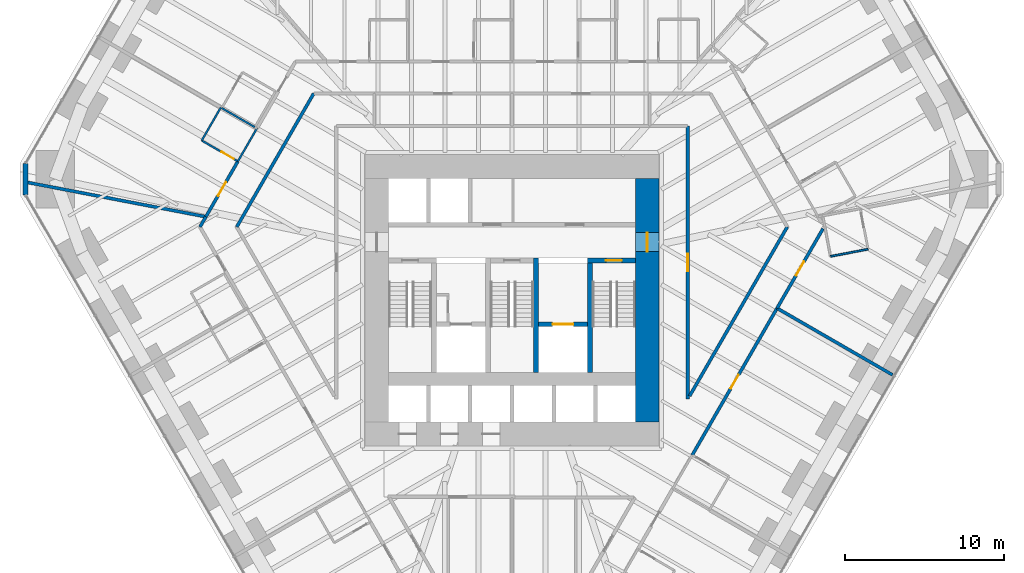
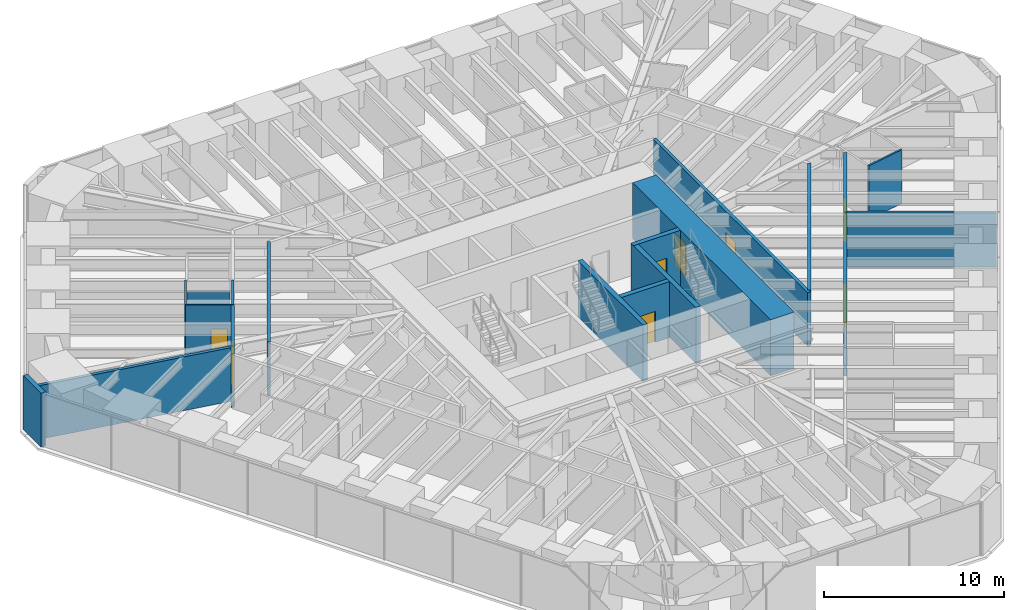
# One storey, part 13 of 17: 20 walls, 8 doors, 8 openings.
"""IFC4 building model written with IfcOpenShell, lengths in metres."""

from ifc_helpers import new_model, si_unit, direction, frame, frame_2d, origin, place, context, subcontext, project, spatial, rectangle, extrude, material, layer, layer_set, type_object, element, fill, save


model = new_model("IFC4")

# Units and contexts
model_context = context("Model", 3, precision=1e-05, world=origin(), true_north=direction((0.0, 1.0)))
body_context = subcontext(model_context, "Body", "Model", "MODEL_VIEW")
ifc_project = project(units=[si_unit("LENGTHUNIT", "METRE"), si_unit("AREAUNIT", "SQUARE_METRE"), si_unit("VOLUMEUNIT", "CUBIC_METRE"), si_unit("PLANEANGLEUNIT", "RADIAN"), si_unit("MASSUNIT", "GRAM", prefix="KILO")], contexts=[model_context])

# Site, building, storey
site_placement = place(None, origin())
site = spatial("IfcSite", under=ifc_project, at=site_placement, CompositionType="ELEMENT")
building_placement = place(site_placement, origin())
building = spatial("IfcBuilding", under=site, at=building_placement, Name="Sandreach Pilgrim Tower", CompositionType="ELEMENT")
storey_placement = place(building_placement, frame((0.0, 0.0, 45.800048828125)))
storey = spatial("IfcBuildingStorey", under=building, at=storey_placement, Name="L10", CompositionType="ELEMENT", Elevation=45.800048828125)

# Wall, opening, door
ifc_material_1 = material(Name="Moisture-resistant gypsum board on steel studs", Category="steel")
ifc_layer_1 = layer(ifc_material_1, 0.1201171875)
ifc_layer_set_1 = layer_set([ifc_layer_1], Name="Bathroom partition 120")
wall_type_1 = type_object("IfcWallType", Name="Bathroom partition 120", PredefinedType="PARTITIONING", material=ifc_layer_set_1)
wall_1_placement = place(storey_placement, frame((-19.5, 8.489990234375, 0.0), z_axis=(0.0, 0.0, 1.0), x_axis=(0.866114241029, -0.499846097802, 0.0)))
wall_1 = element("IfcWall", 1, at=wall_1_placement, inside=storey, type_object=wall_type_1, Name="Bathroom partition L10-007", PredefinedType="PARTITIONING", context=body_context, shape_type="SweptSolid", body=[
    extrude(rectangle(XDim=2.620849609375, YDim=0.1201171875, at=frame_2d((1.310546875, 0.0))), origin(), (0.0, 0.0, 1.0), 3.639892578125),
])
opening_1_placement = place(wall_1_placement, frame((1.4208984375, 0.0, 0.0)))
opening_1 = element("IfcOpeningElement", 2, at=opening_1_placement, cuts=wall_1, Name="Opening D09-15B", PredefinedType="OPENING", context=body_context, shape_type="SweptSolid", body=[
    extrude(rectangle(XDim=0.89990234375, YDim=2.030029296875, at=frame_2d((0.449951171875, 1.01513671875))), frame((0.0, 0.06005859375, 0.0), z_axis=(0.0, -1.0, 0.0), x_axis=(1.0, 0.0, 0.0)), (0.0, 0.0, 1.0), 0.1201171875),
])
ifc_material_2 = material(Name="Timber door, steel frame", Category="steel")
door_type_1 = type_object("IfcDoorType", Name="Bathroom door", OperationType="SINGLE_SWING_LEFT", PredefinedType="DOOR", material=ifc_material_2)
door_1_placement = place(opening_1_placement, origin())
door_1 = element("IfcDoor", 3, at=door_1_placement, inside=storey, type_object=door_type_1, Name="Door 1015B", OperationType="SINGLE_SWING_RIGHT", OverallHeight=2.030029296875, OverallWidth=0.89990234375, PredefinedType="DOOR", context=body_context, shape_type="SweptSolid", body=[
    extrude(rectangle(XDim=0.89990234375, YDim=2.030029296875, at=frame_2d((0.449951171875, 1.01513671875))), frame((0.0, 0.02490234375, 0.0), z_axis=(0.0, -1.0, 0.0), x_axis=(1.0, 0.0, 0.0)), (0.0, 0.0, 1.0), 0.050048828125),
])
fill(opening_1, door_1)

# Walls
wall_2_placement = place(storey_placement, frame((-18.300048828125, 10.570068359375, 0.0), z_axis=(0.0, 0.0, 1.0), x_axis=(-0.499693115345, -0.866202511239, 0.0)))
element("IfcWall", 4, at=wall_2_placement, inside=storey, type_object=wall_type_1, Name="Bathroom partition L10-011", PredefinedType="PARTITIONING", context=body_context, shape_type="SweptSolid", body=[
    extrude(rectangle(XDim=2.4013671875, YDim=0.1201171875, at=frame_2d((1.20068359375, 0.0))), origin(), (0.0, 0.0, 1.0), 3.639892578125),
])
wall_3_placement = place(storey_placement, frame((-18.239990234375, 10.530029296875, 0.0), z_axis=(0.0, 0.0, 1.0), x_axis=(0.866202511239, -0.499693115345, 0.0)))
element("IfcWall", 5, at=wall_3_placement, inside=storey, type_object=wall_type_1, Name="Bathroom partition L10-012", PredefinedType="PARTITIONING", context=body_context, shape_type="SweptSolid", body=[
    extrude(rectangle(XDim=2.4013671875, YDim=0.1201171875, at=frame_2d((1.20068359375, 0.0))), origin(), (0.0, 0.0, 1.0), 2.860107421875),
])
wall_4_placement = place(storey_placement, frame((-17.22998046875, 7.179931640625, 0.0), z_axis=(0.0, 0.0, 1.0), x_axis=(0.500009943768, 0.866019662671, 0.0)))
element("IfcWall", 6, at=wall_4_placement, inside=storey, type_object=wall_type_1, Name="Bathroom partition L10-017", PredefinedType="PARTITIONING", context=body_context, shape_type="SweptSolid", body=[
    extrude(rectangle(XDim=2.4013671875, YDim=0.1201171875, at=frame_2d((1.20068359375, 0.0))), origin(), (0.0, 0.0, 1.0), 3.639892578125),
])
wall_5_placement = place(storey_placement, frame((20.02001953125, 1.2099609375, 0.0), z_axis=(0.0, 0.0, 1.0), x_axis=(0.982303859288, 0.187294228499, 0.0)))
element("IfcWall", 7, at=wall_5_placement, inside=storey, type_object=wall_type_1, Name="Bathroom partition L10-129", PredefinedType="PARTITIONING", context=body_context, shape_type="SweptSolid", body=[
    extrude(rectangle(XDim=2.40234375, YDim=0.1201171875, at=frame_2d((1.201171875, 0.0))), origin(), (0.0, 0.0, 1.0), 3.639892578125),
])
ifc_material_3 = material(Name="Concrete 10000 psi", Category="concrete")
ifc_layer_2 = layer(ifc_material_3, 0.300048828125)
ifc_layer_set_2 = layer_set([ifc_layer_2], Name="Core inner wall 300")
wall_type_2 = type_object("IfcWallType", Name="Core inner wall 300", PredefinedType="SHEAR", material=ifc_layer_set_2)
for number, where, z_axis, x_axis, name in (
    (8, (1.5, -6.10009765625, 0.0), (0.0, 0.0, 1.0), (0.0, 1.0, 0.0), "Core wall I2 L10"),
    (9, (4.89990234375, -6.10009765625, 0.0), (0.0, 0.0, 1.0), (0.0, 1.0, 0.0), "Core wall I3 L10"),
):
    element("IfcWall", number, at=place(storey_placement, frame(where, z_axis=z_axis, x_axis=x_axis)), inside=storey, type_object=wall_type_2, Name=name, PredefinedType="SHEAR", context=body_context, shape_type="SweptSolid", body=[
        extrude(rectangle(XDim=7.2001953125, YDim=0.300048828125, at=frame_2d((3.60009765625, 0.0))), origin(), (0.0, 0.0, 1.0), 3.800048828125),
    ])

# Wall, opening, door
wall_6_placement = place(storey_placement, frame((4.75, 0.949951171875, 0.0), z_axis=(0.0, 0.0, 1.0), x_axis=(1.0, 0.0, 0.0)))
wall_6 = element("IfcWall", 10, at=wall_6_placement, inside=storey, type_object=wall_type_2, Name="Core wall SN2 L10", PredefinedType="SHEAR", context=body_context, shape_type="SweptSolid", body=[
    extrude(rectangle(XDim=3.0, YDim=0.300048828125, at=frame_2d((1.5, 0.0))), origin(), (0.0, 0.0, 1.0), 3.800048828125),
])
opening_2_placement = place(wall_6_placement, frame((1.14990234375, 0.0, 0.0)))
opening_2 = element("IfcOpeningElement", 11, at=opening_2_placement, cuts=wall_6, Name="Opening D10S-ST2", PredefinedType="OPENING", context=body_context, shape_type="SweptSolid", body=[
    extrude(rectangle(XDim=1.0, YDim=2.199951171875, at=frame_2d((0.5, 1.10009765625))), frame((0.0, 0.14990234375, 0.0), z_axis=(0.0, -1.0, 0.0), x_axis=(1.0, 0.0, 0.0)), (0.0, 0.0, 1.0), 0.300048828125),
])
ifc_material_4 = material(Name="Steel door and frame", Category="steel")
door_type_2 = type_object("IfcDoorType", Name="Stair door", OperationType="SINGLE_SWING_LEFT", PredefinedType="DOOR", material=ifc_material_4)
door_2_placement = place(opening_2_placement, origin())
door_2 = element("IfcDoor", 12, at=door_2_placement, inside=storey, type_object=door_type_2, Name="Stair door ST2 L10", OperationType="SINGLE_SWING_RIGHT", OverallHeight=2.199951171875, OverallWidth=1.0, PredefinedType="DOOR", context=body_context, shape_type="SweptSolid", body=[
    extrude(rectangle(XDim=1.0, YDim=2.199951171875, at=frame_2d((0.5, 1.10009765625))), frame((0.0, 0.02490234375, 0.0), z_axis=(0.0, -1.0, 0.0), x_axis=(1.0, 0.0, 0.0)), (0.0, 0.0, 1.0), 0.050048828125),
])
fill(opening_2, door_2)

wall_7_placement = place(storey_placement, frame((1.64990234375, -3.050048828125, 0.0), z_axis=(0.0, 0.0, 1.0), x_axis=(1.0, 0.0, 0.0)))
wall_7 = element("IfcWall", 13, at=wall_7_placement, inside=storey, type_object=wall_type_2, Name="Core wall FL2 L10", PredefinedType="SHEAR", context=body_context, shape_type="SweptSolid", body=[
    extrude(rectangle(XDim=3.10009765625, YDim=0.300048828125, at=frame_2d((1.550048828125, 0.0))), origin(), (0.0, 0.0, 1.0), 3.800048828125),
])
opening_3_placement = place(wall_7_placement, frame((0.89990234375, 0.0, 0.0)))
opening_3 = element("IfcOpeningElement", 14, at=opening_3_placement, cuts=wall_7, Name="Opening LD13", PredefinedType="OPENING", context=body_context, shape_type="SweptSolid", body=[
    extrude(rectangle(XDim=1.300048828125, YDim=2.10009765625, at=frame_2d((0.64990234375, 1.050048828125))), frame((0.0, 0.14990234375, 0.0), z_axis=(0.0, -1.0, 0.0), x_axis=(1.0, 0.0, 0.0)), (0.0, 0.0, 1.0), 0.300048828125),
])
ifc_material_5 = material(Name="Steel door and frame", Category="steel")
door_type_3 = type_object("IfcDoorType", Name="Fire service lift landing door", OperationType="DOUBLE_DOOR_SLIDING", PredefinedType="DOOR", material=ifc_material_5)
door_3_placement = place(opening_3_placement, origin())
door_3 = element("IfcDoor", 15, at=door_3_placement, inside=storey, type_object=door_type_3, Name="Lift landing door FS2 L10", OperationType="DOUBLE_DOOR_SLIDING", OverallHeight=2.10009765625, OverallWidth=1.300048828125, PredefinedType="DOOR", context=body_context, shape_type="SweptSolid", body=[
    extrude(rectangle(XDim=1.300048828125, YDim=2.10009765625, at=frame_2d((0.64990234375, 1.050048828125))), frame((0.0, 0.02490234375, 0.0), z_axis=(0.0, -1.0, 0.0), x_axis=(1.0, 0.0, 0.0)), (0.0, 0.0, 1.0), 0.050048828125),
])
fill(opening_3, door_3)

ifc_material_6 = material(Name="Concrete 10000 psi", Category="concrete")
ifc_layer_3 = layer(ifc_material_6, 1.5)
ifc_layer_set_3 = layer_set([ifc_layer_3], Name="Core wall 1500")
wall_type_3 = type_object("IfcWallType", Name="Core wall 1500", PredefinedType="SHEAR", material=ifc_layer_set_3)
wall_8_placement = place(storey_placement, frame((8.5, -9.199951171875, 0.0), z_axis=(0.0, 0.0, 1.0), x_axis=(0.0, 1.0, 0.0)))
wall_8 = element("IfcWall", 16, at=wall_8_placement, inside=storey, type_object=wall_type_3, Name="Core wall E L10", PredefinedType="SHEAR", context=body_context, shape_type="SweptSolid", body=[
    extrude(rectangle(XDim=15.300048828125, YDim=1.5, at=frame_2d((7.64990234375, 0.0))), origin(), (0.0, 0.0, 1.0), 3.800048828125),
])
opening_4_placement = place(wall_8_placement, frame((10.699951171875, 0.0, 0.0)))
opening_4 = element("IfcOpeningElement", 17, at=opening_4_placement, cuts=wall_8, Name="Opening D12F-E", PredefinedType="OPENING", context=body_context, shape_type="SweptSolid", body=[
    extrude(rectangle(XDim=1.199951171875, YDim=2.199951171875, at=frame_2d((0.60009765625, 1.10009765625))), frame((0.0, 0.75, 0.0), z_axis=(0.0, -1.0, 0.0), x_axis=(1.0, 0.0, 0.0)), (0.0, 0.0, 1.0), 1.5),
])
ifc_material_7 = material(Name="Steel door and frame", Category="steel")
door_type_4 = type_object("IfcDoorType", Name="Fire lobby door", OperationType="SINGLE_SWING_LEFT", PredefinedType="DOOR", material=ifc_material_7)
door_4_placement = place(opening_4_placement, origin())
door_4 = element("IfcDoor", 18, at=door_4_placement, inside=storey, type_object=door_type_4, Name="Fire service lobby door E L10", OperationType="SINGLE_SWING_RIGHT", OverallHeight=2.199951171875, OverallWidth=1.199951171875, PredefinedType="DOOR", context=body_context, shape_type="SweptSolid", body=[
    extrude(rectangle(XDim=1.199951171875, YDim=2.199951171875, at=frame_2d((0.60009765625, 1.10009765625))), frame((0.0, 0.02490234375, 0.0), z_axis=(0.0, -1.0, 0.0), x_axis=(1.0, 0.0, 0.0)), (0.0, 0.0, 1.0), 0.050048828125),
])
fill(opening_4, door_4)

# Wall
ifc_material_8 = material(Name="Gypsum board on steel studs, two layers each side", Category="steel")
ifc_layer_4 = layer(ifc_material_8, 0.199951171875)
ifc_layer_set_4 = layer_set([ifc_layer_4], Name="Corridor wall 200")
wall_type_4 = type_object("IfcWallType", Name="Corridor wall 200", PredefinedType="PARTITIONING", material=ifc_layer_set_4)
wall_9_placement = place(storey_placement, frame((-19.610107421875, 3.06005859375, 0.0), z_axis=(0.0, 0.0, 1.0), x_axis=(0.50068472101, 0.865629718844, 0.0)))
element("IfcWall", 19, at=wall_9_placement, inside=storey, type_object=wall_type_4, Name="Corridor wall L10-005", PredefinedType="PARTITIONING", context=body_context, shape_type="SweptSolid", body=[
    extrude(rectangle(XDim=0.7392578125, YDim=0.199951171875, at=frame_2d((0.36962890625, 0.0))), origin(), (0.0, 0.0, 1.0), 3.639892578125),
])

# Wall, opening, door
wall_10_placement = place(storey_placement, frame((-19.239990234375, 3.699951171875, 0.0), z_axis=(0.0, 0.0, 1.0), x_axis=(0.500157149565, 0.865934654428, 0.0)))
wall_10 = element("IfcWall", 20, at=wall_10_placement, inside=storey, type_object=wall_type_4, Name="Corridor wall L10-008", PredefinedType="PARTITIONING", context=body_context, shape_type="SweptSolid", body=[
    extrude(rectangle(XDim=4.018798828125, YDim=0.199951171875, at=frame_2d((2.00927734375, 0.0))), origin(), (0.0, 0.0, 1.0), 3.639892578125),
])
opening_5_placement = place(wall_10_placement, frame((1.509521484375, 0.0, 0.0)))
opening_5 = element("IfcOpeningElement", 21, at=opening_5_placement, cuts=wall_10, Name="Opening D10-15", PredefinedType="OPENING", context=body_context, shape_type="SweptSolid", body=[
    extrude(rectangle(XDim=1.0, YDim=2.1298828125, at=frame_2d((0.5, 1.06494140625))), frame((0.0, 0.10009765625, 0.0), z_axis=(0.0, -1.0, 0.0), x_axis=(1.0, 0.0, 0.0)), (0.0, 0.0, 1.0), 0.199951171875),
])
ifc_material_9 = material(Name="Steel door and frame", Category="steel")
door_type_5 = type_object("IfcDoorType", Name="Guest room entry door", OperationType="SINGLE_SWING_LEFT", PredefinedType="DOOR", material=ifc_material_9)
door_5_placement = place(opening_5_placement, origin())
door_5 = element("IfcDoor", 22, at=door_5_placement, inside=storey, type_object=door_type_5, Name="Door 1015", OperationType="SINGLE_SWING_LEFT", OverallHeight=2.1298828125, OverallWidth=1.0, PredefinedType="DOOR", context=body_context, shape_type="SweptSolid", body=[
    extrude(rectangle(XDim=1.0, YDim=2.1298828125, at=frame_2d((0.5, 1.06494140625))), frame((0.0, 0.02490234375, 0.0), z_axis=(0.0, -1.0, 0.0), x_axis=(1.0, 0.0, 0.0)), (0.0, 0.0, 1.0), 0.050048828125),
])
fill(opening_5, door_5)

# Wall
wall_11_placement = place(storey_placement, frame((-17.300048828125, 3.06005859375, 0.0), z_axis=(0.0, 0.0, 1.0), x_axis=(0.499704269421, 0.866196076603, 0.0)))
element("IfcWall", 23, at=wall_11_placement, inside=storey, type_object=wall_type_4, Name="Corridor wall L10-016", PredefinedType="PARTITIONING", context=body_context, shape_type="SweptSolid", body=[
    extrude(rectangle(XDim=9.685791015625, YDim=0.199951171875, at=frame_2d((4.8427734375, 0.0))), origin(), (0.0, 0.0, 1.0), 3.639892578125),
])

# Wall, opening, door
wall_12_placement = place(storey_placement, frame((11.050048828125, -7.760009765625, 0.0), z_axis=(0.0, 0.0, 1.0), x_axis=(0.0, 1.0, 0.0)))
wall_12 = element("IfcWall", 24, at=wall_12_placement, inside=storey, type_object=wall_type_4, Name="Corridor wall L10-103", PredefinedType="PARTITIONING", context=body_context, shape_type="SweptSolid", body=[
    extrude(rectangle(XDim=17.159912109375, YDim=0.199951171875, at=frame_2d((8.580078125, 0.0))), origin(), (0.0, 0.0, 1.0), 3.639892578125),
])
opening_6_placement = place(wall_12_placement, frame((8.030029296875, 0.0, 0.0)))
opening_6 = element("IfcOpeningElement", 25, at=opening_6_placement, cuts=wall_12, Name="Opening D11H-M04", PredefinedType="OPENING", context=body_context, shape_type="SweptSolid", body=[
    extrude(rectangle(XDim=1.10009765625, YDim=2.199951171875, at=frame_2d((0.550048828125, 1.10009765625))), frame((0.0, 0.10009765625, 0.0), z_axis=(0.0, -1.0, 0.0), x_axis=(1.0, 0.0, 0.0)), (0.0, 0.0, 1.0), 0.199951171875),
])
ifc_material_10 = material(Name="Steel door and frame", Category="steel")
door_type_6 = type_object("IfcDoorType", Name="Back of house door", OperationType="SINGLE_SWING_LEFT", PredefinedType="DOOR", material=ifc_material_10)
door_6_placement = place(opening_6_placement, origin())
door_6 = element("IfcDoor", 26, at=door_6_placement, inside=storey, type_object=door_type_6, Name="Door 10M04", OperationType="SINGLE_SWING_LEFT", OverallHeight=2.199951171875, OverallWidth=1.10009765625, PredefinedType="DOOR", context=body_context, shape_type="SweptSolid", body=[
    extrude(rectangle(XDim=1.10009765625, YDim=2.199951171875, at=frame_2d((0.550048828125, 1.10009765625))), frame((0.0, 0.02490234375, 0.0), z_axis=(0.0, -1.0, 0.0), x_axis=(1.0, 0.0, 0.0)), (0.0, 0.0, 1.0), 0.050048828125),
])
fill(opening_6, door_6)

wall_13_placement = place(storey_placement, frame((11.330078125, -11.280029296875, 0.0), z_axis=(0.0, 0.0, 1.0), x_axis=(0.50006348966, 0.865988744909, 0.0)))
wall_13 = element("IfcWall", 27, at=wall_13_placement, inside=storey, type_object=wall_type_4, Name="Corridor wall L10-104", PredefinedType="PARTITIONING", context=body_context, shape_type="SweptSolid", body=[
    extrude(rectangle(XDim=10.658203125, YDim=0.199951171875, at=frame_2d((5.3291015625, 0.0))), origin(), (0.0, 0.0, 1.0), 3.639892578125),
])
opening_7_placement = place(wall_13_placement, frame((4.8291015625, 0.0, 0.0)))
opening_7 = element("IfcOpeningElement", 28, at=opening_7_placement, cuts=wall_13, Name="Opening D10-08", PredefinedType="OPENING", context=body_context, shape_type="SweptSolid", body=[
    extrude(rectangle(XDim=1.0, YDim=2.1298828125, at=frame_2d((0.5, 1.06494140625))), frame((0.0, 0.10009765625, 0.0), z_axis=(0.0, -1.0, 0.0), x_axis=(1.0, 0.0, 0.0)), (0.0, 0.0, 1.0), 0.199951171875),
])
door_7_placement = place(opening_7_placement, origin())
door_7 = element("IfcDoor", 29, at=door_7_placement, inside=storey, type_object=door_type_5, Name="Door 1008", OperationType="SINGLE_SWING_LEFT", OverallHeight=2.1298828125, OverallWidth=1.0, PredefinedType="DOOR", context=body_context, shape_type="SweptSolid", body=[
    extrude(rectangle(XDim=1.0, YDim=2.1298828125, at=frame_2d((0.5, 1.06494140625))), frame((0.0, 0.02490234375, 0.0), z_axis=(0.0, -1.0, 0.0), x_axis=(1.0, 0.0, 0.0)), (0.0, 0.0, 1.0), 0.050048828125),
])
fill(opening_7, door_7)

wall_14_placement = place(storey_placement, frame((16.659912109375, -2.050048828125, 0.0), z_axis=(0.0, 0.0, 1.0), x_axis=(0.499994452889, 0.866028606387, 0.0)))
wall_14 = element("IfcWall", 30, at=wall_14_placement, inside=storey, type_object=wall_type_4, Name="Corridor wall L10-120", PredefinedType="PARTITIONING", context=body_context, shape_type="SweptSolid", body=[
    extrude(rectangle(XDim=5.775390625, YDim=0.199951171875, at=frame_2d((2.8876953125, 0.0))), origin(), (0.0, 0.0, 1.0), 3.639892578125),
])
opening_8_placement = place(wall_14_placement, frame((2.3876953125, 0.0, 0.0)))
opening_8 = element("IfcOpeningElement", 31, at=opening_8_placement, cuts=wall_14, Name="Opening D10-07", PredefinedType="OPENING", context=body_context, shape_type="SweptSolid", body=[
    extrude(rectangle(XDim=1.0, YDim=2.1298828125, at=frame_2d((0.5, 1.06494140625))), frame((0.0, 0.10009765625, 0.0), z_axis=(0.0, -1.0, 0.0), x_axis=(1.0, 0.0, 0.0)), (0.0, 0.0, 1.0), 0.199951171875),
])
door_8_placement = place(opening_8_placement, origin())
door_8 = element("IfcDoor", 32, at=door_8_placement, inside=storey, type_object=door_type_5, Name="Door 1007", OperationType="SINGLE_SWING_LEFT", OverallHeight=2.1298828125, OverallWidth=1.0, PredefinedType="DOOR", context=body_context, shape_type="SweptSolid", body=[
    extrude(rectangle(XDim=1.0, YDim=2.1298828125, at=frame_2d((0.5, 1.06494140625))), frame((0.0, 0.02490234375, 0.0), z_axis=(0.0, -1.0, 0.0), x_axis=(1.0, 0.0, 0.0)), (0.0, 0.0, 1.0), 0.050048828125),
])
fill(opening_8, door_8)

# Walls
wall_15_placement = place(storey_placement, frame((17.300048828125, 3.06005859375, 0.0), z_axis=(0.0, 0.0, 1.0), x_axis=(-0.500175206663, -0.865924224537, 0.0)))
element("IfcWall", 33, at=wall_15_placement, inside=storey, type_object=wall_type_4, Name="Corridor wall L10-121", PredefinedType="PARTITIONING", context=body_context, shape_type="SweptSolid", body=[
    extrude(rectangle(XDim=12.275390625, YDim=0.199951171875, at=frame_2d((6.1376953125, 0.0))), origin(), (0.0, 0.0, 1.0), 3.639892578125),
])
ifc_material_11 = material(Name="Double steel stud acoustic wall, gypsum board", Category="steel")
ifc_layer_5 = layer(ifc_material_11, 0.199951171875)
ifc_layer_set_5 = layer_set([ifc_layer_5], Name="Party wall 200")
wall_type_5 = type_object("IfcWallType", Name="Party wall 200", PredefinedType="PARTITIONING", material=ifc_layer_set_5)
wall_16_placement = place(storey_placement, frame((-30.590576171875, 5.88427734375, 0.0), z_axis=(0.0, 0.0, 1.0), x_axis=(0.981983289605, -0.188967772219, 0.0)))
element("IfcWall", 34, at=wall_16_placement, inside=storey, type_object=wall_type_5, Name="Party wall L10-001", PredefinedType="PARTITIONING", context=body_context, shape_type="SweptSolid", body=[
    extrude(rectangle(XDim=11.5087890625, YDim=0.199951171875, at=frame_2d((5.75439453125, 0.0))), origin(), (0.0, 0.0, 1.0), 3.639892578125),
])
wall_17_placement = place(storey_placement, frame((23.916015625, -6.239990234375, 0.0), z_axis=(0.0, 0.0, 1.0), x_axis=(-0.865982991691, 0.500073452706, 0.0)))
element("IfcWall", 35, at=wall_17_placement, inside=storey, type_object=wall_type_5, Name="Party wall L10-134", PredefinedType="PARTITIONING", context=body_context, shape_type="SweptSolid", body=[
    extrude(rectangle(XDim=8.368896484375, YDim=0.199951171875, at=frame_2d((4.1845703125, 0.0))), origin(), (0.0, 0.0, 1.0), 3.639892578125),
])
ifc_material_12 = material(Name="Terracotta rainscreen on concrete", Category="masonry")
ifc_layer_6 = layer(ifc_material_12, 0.300048828125)
ifc_layer_set_6 = layer_set([ifc_layer_6], Name="Terracotta chamfer pier")
wall_type_6 = type_object("IfcWallType", Name="Terracotta chamfer pier", PredefinedType="SOLIDWALL", material=ifc_layer_set_6)
wall_18_placement = place(storey_placement, frame((-30.576171875, 5.062255859375, 0.0), z_axis=(0.0, 0.0, 1.0), x_axis=(0.0, 1.0, 0.0)))
element("IfcWall", 36, at=wall_18_placement, inside=storey, type_object=wall_type_6, Name="Chamfer pier L10 SW", PredefinedType="SOLIDWALL", context=body_context, shape_type="SweptSolid", body=[
    extrude(rectangle(XDim=2.0, YDim=0.300048828125, at=frame_2d((1.0, 0.0))), origin(), (0.0, 0.0, 1.0), 3.639892578125),
])

save(model, "model.ifc")
